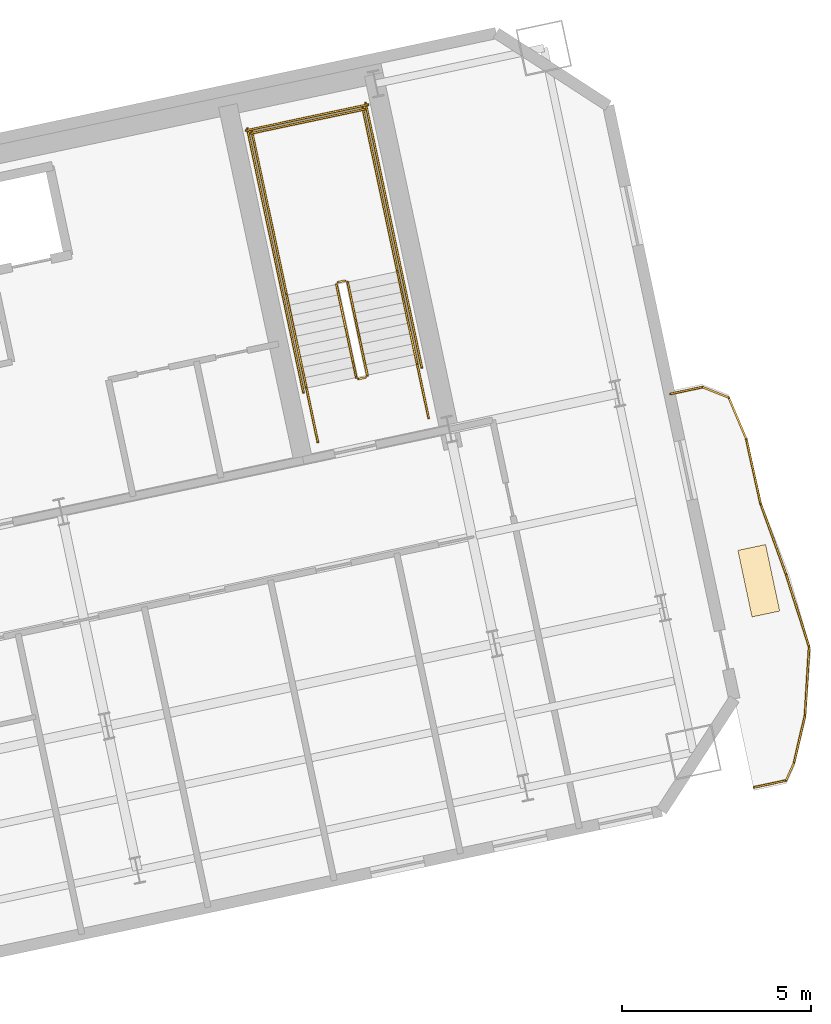
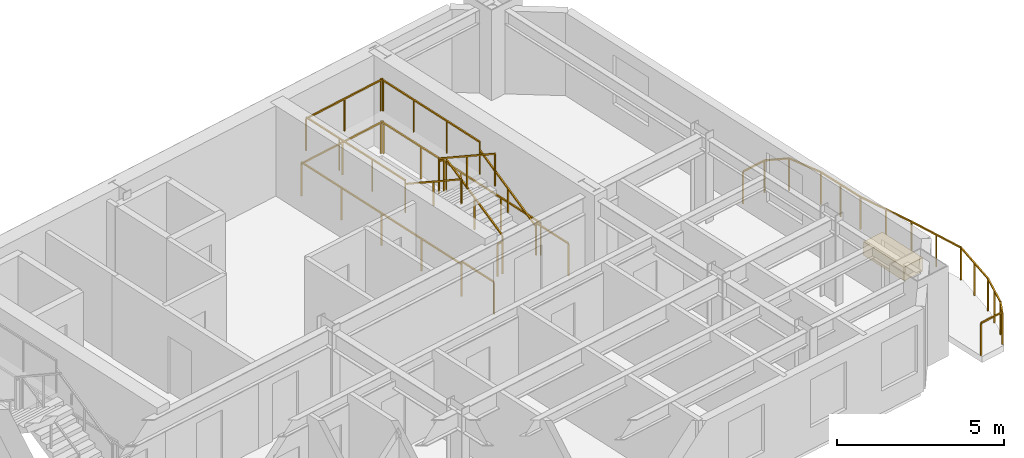
# One storey, part 13 of 13: 24 railings, 1 covering.
"""IFC4 building model written with IfcOpenShell, lengths in metres."""

from ifc_helpers import new_model, si_unit, direction, frame, origin, origin_2d, place, context, subcontext, project, spatial, rectangle, extrude, material, layer, layer_set, type_object, element, save


model = new_model("IFC4")

# Units and contexts
model_context = context("Model", 3, precision=1e-05, world=origin(), true_north=direction((0.0, 1.0)))
body_context = subcontext(model_context, "Body", "Model", "MODEL_VIEW")
ifc_project = project(units=[si_unit("LENGTHUNIT", "METRE"), si_unit("AREAUNIT", "SQUARE_METRE"), si_unit("VOLUMEUNIT", "CUBIC_METRE"), si_unit("PLANEANGLEUNIT", "RADIAN"), si_unit("MASSUNIT", "GRAM", prefix="KILO")], contexts=[model_context])

# Site, building, storey
site_placement = place(None, origin())
site = spatial("IfcSite", under=ifc_project, at=site_placement, CompositionType="ELEMENT")
building_placement = place(site_placement, origin())
building = spatial("IfcBuilding", under=site, at=building_placement, Name="Haevon Station Towers", CompositionType="ELEMENT")
storey_placement = place(building_placement, frame((0.0, 0.0, 142.800048828125)))
storey = spatial("IfcBuildingStorey", under=building, at=storey_placement, Name="L38", CompositionType="ELEMENT", Elevation=142.800048828125)

# Railings
ifc_material_1 = material(Name="Steel S355", Category="steel")
railing_type_1 = type_object("IfcRailingType", Name="GRD-EXT1200", PredefinedType="GUARDRAIL", material=ifc_material_1)
railing_1_placement = place(storey_placement, frame((127.363525390625, 32.332275390625, 0.0)))
element("IfcRailing", 1, at=railing_1_placement, inside=storey, type_object=railing_type_1, Name="L38 Perimeter Guardrail 1", PredefinedType="GUARDRAIL", context=body_context, shape_type="SweptSolid", body=[
    extrude(rectangle(XDim=0.048095703125, YDim=0.048095703125, at=origin_2d()), frame((0.0, 0.0, 1.17578125), z_axis=(0.977695451476, 0.210027627141, 0.0), x_axis=(-0.210027627141, 0.977695451476, 0.0)), (0.0, 0.0, 1.0), 0.869384765625),
    extrude(rectangle(XDim=0.0419921875, YDim=0.0419921875, at=origin_2d()), origin(), (0.0, 0.0, 1.0), 1.15185546875),
    extrude(rectangle(XDim=0.0419921875, YDim=0.0419921875, at=origin_2d()), frame((0.85009765625, 0.1826171875, 0.0)), (0.0, 0.0, 1.0), 1.15185546875),
])
railing_2_placement = place(storey_placement, frame((128.213623046875, 32.514892578125, 0.0)))
element("IfcRailing", 2, at=railing_2_placement, inside=storey, type_object=railing_type_1, Name="L38 Perimeter Guardrail 2", PredefinedType="GUARDRAIL", context=body_context, shape_type="SweptSolid", body=[
    extrude(rectangle(XDim=0.048095703125, YDim=0.048095703125, at=origin_2d()), frame((0.0, 0.0, 1.17578125), z_axis=(0.406806804169, 0.913514216683, 0.0), x_axis=(-0.913514216683, 0.406806804169, 0.0)), (0.0, 0.0, 1.0), 0.50830078125),
    extrude(rectangle(XDim=0.0419921875, YDim=0.0419921875, at=origin_2d()), origin(), (0.0, 0.0, 1.0), 1.15185546875),
    extrude(rectangle(XDim=0.0419921875, YDim=0.0419921875, at=origin_2d()), frame((0.206787109375, 0.46435546875, 0.0)), (0.0, 0.0, 1.0), 1.15185546875),
])
railing_3_placement = place(storey_placement, frame((128.42041015625, 32.979248046875, 0.0)))
element("IfcRailing", 3, at=railing_3_placement, inside=storey, type_object=railing_type_1, Name="L38 Perimeter Guardrail 3", PredefinedType="GUARDRAIL", context=body_context, shape_type="SweptSolid", body=[
    extrude(rectangle(XDim=0.048095703125, YDim=0.048095703125, at=origin_2d()), frame((0.0, 0.0, 1.17578125), z_axis=(0.225729273284, 0.974190071384, 0.0), x_axis=(-0.974190071384, 0.225729273284, 0.0)), (0.0, 0.0, 1.0), 1.29150390625),
    extrude(rectangle(XDim=0.0419921875, YDim=0.0419921875, at=origin_2d()), origin(), (0.0, 0.0, 1.0), 1.15185546875),
    extrude(rectangle(XDim=0.0419921875, YDim=0.0419921875, at=origin_2d()), frame((0.145751953125, 0.62890625, 0.0)), (0.0, 0.0, 1.0), 1.15185546875),
    extrude(rectangle(XDim=0.0419921875, YDim=0.0419921875, at=origin_2d()), frame((0.29150390625, 1.258056640625, 0.0)), (0.0, 0.0, 1.0), 1.15185546875),
])
railing_4_placement = place(storey_placement, frame((128.7119140625, 34.2373046875, 0.0)))
element("IfcRailing", 4, at=railing_4_placement, inside=storey, type_object=railing_type_1, Name="L38 Perimeter Guardrail 4", PredefinedType="GUARDRAIL", context=body_context, shape_type="SweptSolid", body=[
    extrude(rectangle(XDim=0.048095703125, YDim=0.048095703125, at=origin_2d()), frame((0.0, 0.0, 1.17578125), z_axis=(0.060144905, 0.99818965653, 0.0), x_axis=(-0.99818965653, 0.060144905, 0.0)), (0.0, 0.0, 1.0), 1.810302734375),
    extrude(rectangle(XDim=0.0419921875, YDim=0.0419921875, at=origin_2d()), origin(), (0.0, 0.0, 1.0), 1.15185546875),
    extrude(rectangle(XDim=0.0419921875, YDim=0.0419921875, at=origin_2d()), frame((0.054443359375, 0.903564453125, 0.0)), (0.0, 0.0, 1.0), 1.15185546875),
    extrude(rectangle(XDim=0.0419921875, YDim=0.0419921875, at=origin_2d()), frame((0.10888671875, 1.80712890625, 0.0)), (0.0, 0.0, 1.0), 1.15185546875),
])
railing_5_placement = place(storey_placement, frame((128.82080078125, 36.04443359375, 0.0)))
element("IfcRailing", 5, at=railing_5_placement, inside=storey, type_object=railing_type_1, Name="L38 Perimeter Guardrail 5", PredefinedType="GUARDRAIL", context=body_context, shape_type="SweptSolid", body=[
    extrude(rectangle(XDim=0.048095703125, YDim=0.048095703125, at=origin_2d()), frame((0.0, 0.0, 1.17578125), z_axis=(-0.302449100455, 0.953165537372, 0.0), x_axis=(-0.953165537372, -0.302449100455, 0.0)), (0.0, 0.0, 1.0), 2.00341796875),
    extrude(rectangle(XDim=0.0419921875, YDim=0.0419921875, at=origin_2d()), origin(), (0.0, 0.0, 1.0), 1.15185546875),
    extrude(rectangle(XDim=0.0419921875, YDim=0.0419921875, at=origin_2d()), frame((-0.302978515625, 0.954833984375, 0.0)), (0.0, 0.0, 1.0), 1.15185546875),
    extrude(rectangle(XDim=0.0419921875, YDim=0.0419921875, at=origin_2d()), frame((-0.60595703125, 1.90966796875, 0.0)), (0.0, 0.0, 1.0), 1.15185546875),
])
railing_6_placement = place(storey_placement, frame((128.21484375, 37.9541015625, 0.0)))
element("IfcRailing", 6, at=railing_6_placement, inside=storey, type_object=railing_type_1, Name="L38 Perimeter Guardrail 6", PredefinedType="GUARDRAIL", context=body_context, shape_type="SweptSolid", body=[
    extrude(rectangle(XDim=0.048095703125, YDim=0.048095703125, at=origin_2d()), frame((0.0, 0.0, 1.17578125), z_axis=(-0.339300769731, 0.940677940456, 0.0), x_axis=(-0.940677940456, -0.339300769731, 0.0)), (0.0, 0.0, 1.0), 2.007568359375),
    extrude(rectangle(XDim=0.0419921875, YDim=0.0419921875, at=origin_2d()), origin(), (0.0, 0.0, 1.0), 1.15185546875),
    extrude(rectangle(XDim=0.0419921875, YDim=0.0419921875, at=origin_2d()), frame((-0.340576171875, 0.9443359375, 0.0)), (0.0, 0.0, 1.0), 1.15185546875),
    extrude(rectangle(XDim=0.0419921875, YDim=0.0419921875, at=origin_2d()), frame((-0.68115234375, 1.888427734375, 0.0)), (0.0, 0.0, 1.0), 1.15185546875),
])
railing_7_placement = place(storey_placement, frame((127.53369140625, 39.842529296875, 0.0)))
element("IfcRailing", 7, at=railing_7_placement, inside=storey, type_object=railing_type_1, Name="L38 Perimeter Guardrail 7", PredefinedType="GUARDRAIL", context=body_context, shape_type="SweptSolid", body=[
    extrude(rectangle(XDim=0.048095703125, YDim=0.048095703125, at=origin_2d()), frame((0.0, 0.0, 1.17578125), z_axis=(-0.215069312973, 0.976598786922, 0.0), x_axis=(-0.976598786922, -0.215069312973, 0.0)), (0.0, 0.0, 1.0), 1.75048828125),
    extrude(rectangle(XDim=0.0419921875, YDim=0.0419921875, at=origin_2d()), origin(), (0.0, 0.0, 1.0), 1.15185546875),
    extrude(rectangle(XDim=0.0419921875, YDim=0.0419921875, at=origin_2d()), frame((-0.188232421875, 0.854736328125, 0.0)), (0.0, 0.0, 1.0), 1.15185546875),
    extrude(rectangle(XDim=0.0419921875, YDim=0.0419921875, at=origin_2d()), frame((-0.37646484375, 1.70947265625, 0.0)), (0.0, 0.0, 1.0), 1.15185546875),
])
railing_8_placement = place(storey_placement, frame((127.1572265625, 41.552001953125, 0.0)))
element("IfcRailing", 8, at=railing_8_placement, inside=storey, type_object=railing_type_1, Name="L38 Perimeter Guardrail 8", PredefinedType="GUARDRAIL", context=body_context, shape_type="SweptSolid", body=[
    extrude(rectangle(XDim=0.048095703125, YDim=0.048095703125, at=origin_2d()), frame((0.0, 0.0, 1.17578125), z_axis=(-0.389860525795, 0.920873916683, 0.0), x_axis=(-0.920873916683, -0.389860525795, 0.0)), (0.0, 0.0, 1.0), 1.191650390625),
    extrude(rectangle(XDim=0.0419921875, YDim=0.0419921875, at=origin_2d()), origin(), (0.0, 0.0, 1.0), 1.15185546875),
    extrude(rectangle(XDim=0.0419921875, YDim=0.0419921875, at=origin_2d()), frame((-0.464599609375, 1.097412109375, 0.0)), (0.0, 0.0, 1.0), 1.15185546875),
])
railing_9_placement = place(storey_placement, frame((126.692626953125, 42.6494140625, 0.0)))
element("IfcRailing", 9, at=railing_9_placement, inside=storey, type_object=railing_type_1, Name="L38 Perimeter Guardrail 9", PredefinedType="GUARDRAIL", context=body_context, shape_type="SweptSolid", body=[
    extrude(rectangle(XDim=0.048095703125, YDim=0.048095703125, at=origin_2d()), frame((0.0, 0.0, 1.17578125), z_axis=(-0.929918939499, 0.367764552344, 0.0), x_axis=(-0.367764552344, -0.929918939499, 0.0)), (0.0, 0.0, 1.0), 0.743408203125),
    extrude(rectangle(XDim=0.0419921875, YDim=0.0419921875, at=origin_2d()), origin(), (0.0, 0.0, 1.0), 1.15185546875),
    extrude(rectangle(XDim=0.0419921875, YDim=0.0419921875, at=origin_2d()), frame((-0.69140625, 0.2734375, 0.0)), (0.0, 0.0, 1.0), 1.15185546875),
])
railing_10_placement = place(storey_placement, frame((126.001220703125, 42.9228515625, 0.0)))
element("IfcRailing", 10, at=railing_10_placement, inside=storey, type_object=railing_type_1, Name="L38 Perimeter Guardrail 10", PredefinedType="GUARDRAIL", context=body_context, shape_type="SweptSolid", body=[
    extrude(rectangle(XDim=0.048095703125, YDim=0.048095703125, at=origin_2d()), frame((0.0, 0.0, 1.17578125), z_axis=(-0.978588498747, -0.205826504901, 0.0), x_axis=(0.205826504901, -0.978588498747, 0.0)), (0.0, 0.0, 1.0), 0.869384765625),
    extrude(rectangle(XDim=0.0419921875, YDim=0.0419921875, at=origin_2d()), origin(), (0.0, 0.0, 1.0), 1.15185546875),
    extrude(rectangle(XDim=0.0419921875, YDim=0.0419921875, at=origin_2d()), frame((-0.850830078125, -0.178955078125, 0.0)), (0.0, 0.0, 1.0), 1.15185546875),
])
railing_type_2 = type_object("IfcRailingType", Name="GRD-STR1200", PredefinedType="GUARDRAIL", material=ifc_material_1)
railing_11_placement = place(storey_placement, frame((117.128662109375, 43.23974609375, 0.1650390625)))
element("IfcRailing", 11, at=railing_11_placement, inside=storey, type_object=railing_type_2, Name="L38 ST4 Stair Guard 1", PredefinedType="GUARDRAIL", context=body_context, shape_type="SweptSolid", body=[
    extrude(rectangle(XDim=0.048095703125, YDim=0.048095703125, at=origin_2d()), frame((0.0, 0.0, 1.17578125), z_axis=(-0.179128856099, 0.842723639875, 0.507670877349), x_axis=(-0.978147030254, -0.207914374695, 0.0)), (0.0, 0.0, 1.0), 2.9248046875),
    extrude(rectangle(XDim=0.0419921875, YDim=0.0419921875, at=origin_2d()), origin(), (0.0, 0.0, 1.0), 1.15185546875),
    extrude(rectangle(XDim=0.0419921875, YDim=0.0419921875, at=origin_2d()), frame((-0.261962890625, 1.232421875, 0.742431640625)), (0.0, 0.0, 1.0), 1.15185546875),
    extrude(rectangle(XDim=0.0419921875, YDim=0.0419921875, at=origin_2d()), frame((-0.52392578125, 2.46484375, 1.48486328125)), (0.0, 0.0, 1.0), 1.15185546875),
])
railing_12_placement = place(storey_placement, frame((116.54541015625, 45.7431640625, 1.64990234375)))
element("IfcRailing", 12, at=railing_12_placement, inside=storey, type_object=railing_type_2, Name="L38 ST4 Stair Guard 2", PredefinedType="GUARDRAIL", context=body_context, shape_type="SweptSolid", body=[
    extrude(rectangle(XDim=0.048095703125, YDim=0.048095703125, at=origin_2d()), frame((0.0, 0.0, 1.17578125), z_axis=(-0.97826412705, -0.207362720198, 0.0), x_axis=(0.207362720198, -0.97826412705, 0.0)), (0.0, 0.0, 1.0), 0.2001953125),
    extrude(rectangle(XDim=0.0419921875, YDim=0.0419921875, at=origin_2d()), origin(), (0.0, 0.0, 1.0), 1.15185546875),
    extrude(rectangle(XDim=0.0419921875, YDim=0.0419921875, at=origin_2d()), frame((-0.19580078125, -0.04150390625, 0.0)), (0.0, 0.0, 1.0), 1.15185546875),
])
railing_13_placement = place(storey_placement, frame((117.925048828125, 45.9853515625, 1.64990234375)))
element("IfcRailing", 13, at=railing_13_placement, inside=storey, type_object=railing_type_2, Name="L38 ST4 Stair Guard 3", PredefinedType="GUARDRAIL", context=body_context, shape_type="SweptSolid", body=[
    extrude(rectangle(XDim=0.048095703125, YDim=0.048095703125, at=origin_2d()), frame((0.0, 0.0, 1.17578125), z_axis=(-0.207876551949, 0.978155069071, 0.0), x_axis=(-0.978155069071, -0.207876551949, 0.0)), (0.0, 0.0, 1.0), 4.429931640625),
    extrude(rectangle(XDim=0.0419921875, YDim=0.0419921875, at=origin_2d()), origin(), (0.0, 0.0, 1.0), 1.15185546875),
    extrude(rectangle(XDim=0.0419921875, YDim=0.0419921875, at=origin_2d()), frame((-0.306884765625, 1.4443359375, 0.0)), (0.0, 0.0, 1.0), 1.15185546875),
    extrude(rectangle(XDim=0.0419921875, YDim=0.0419921875, at=origin_2d()), frame((-0.614013671875, 2.888916015625, 0.0)), (0.0, 0.0, 1.0), 1.15185546875),
    extrude(rectangle(XDim=0.0419921875, YDim=0.0419921875, at=origin_2d()), frame((-0.9208984375, 4.333251953125, 0.0)), (0.0, 0.0, 1.0), 1.15185546875),
])
railing_14_placement = place(storey_placement, frame((114.99072265625, 45.361572265625, 1.64990234375)))
element("IfcRailing", 14, at=railing_14_placement, inside=storey, type_object=railing_type_2, Name="L38 ST4 Stair Guard 4", PredefinedType="GUARDRAIL", context=body_context, shape_type="SweptSolid", body=[
    extrude(rectangle(XDim=0.048095703125, YDim=0.048095703125, at=origin_2d()), frame((0.0, 0.0, 1.17578125), z_axis=(-0.207929280007, 0.978143861871, 0.0), x_axis=(-0.978143861871, -0.207929280007, 0.0)), (0.0, 0.0, 1.0), 4.43017578125),
    extrude(rectangle(XDim=0.0419921875, YDim=0.0419921875, at=origin_2d()), origin(), (0.0, 0.0, 1.0), 1.15185546875),
    extrude(rectangle(XDim=0.0419921875, YDim=0.0419921875, at=origin_2d()), frame((-0.30712890625, 1.4443359375, 0.0)), (0.0, 0.0, 1.0), 1.15185546875),
    extrude(rectangle(XDim=0.0419921875, YDim=0.0419921875, at=origin_2d()), frame((-0.614013671875, 2.888916015625, 0.0)), (0.0, 0.0, 1.0), 1.15185546875),
    extrude(rectangle(XDim=0.0419921875, YDim=0.0419921875, at=origin_2d()), frame((-0.921142578125, 4.333251953125, 0.0)), (0.0, 0.0, 1.0), 1.15185546875),
])
railing_15_placement = place(storey_placement, frame((117.0634765625, 50.280029296875, 1.64990234375)))
element("IfcRailing", 15, at=railing_15_placement, inside=storey, type_object=railing_type_2, Name="L38 ST4 Stair Guard 5", PredefinedType="GUARDRAIL", context=body_context, shape_type="SweptSolid", body=[
    extrude(rectangle(XDim=0.048095703125, YDim=0.048095703125, at=origin_2d()), frame((0.0, 0.0, 1.17578125), z_axis=(-0.978146839882, -0.207915270313, 0.0), x_axis=(0.207915270313, -0.978146839882, 0.0)), (0.0, 0.0, 1.0), 3.099853515625),
    extrude(rectangle(XDim=0.0419921875, YDim=0.0419921875, at=origin_2d()), origin(), (0.0, 0.0, 1.0), 1.15185546875),
    extrude(rectangle(XDim=0.0419921875, YDim=0.0419921875, at=origin_2d()), frame((-1.51611328125, -0.322265625, 0.0)), (0.0, 0.0, 1.0), 1.15185546875),
    extrude(rectangle(XDim=0.0419921875, YDim=0.0419921875, at=origin_2d()), frame((-3.0322265625, -0.64453125, 0.0)), (0.0, 0.0, 1.0), 1.15185546875),
])
railing_16_placement = place(storey_placement, frame((116.311279296875, 45.642333984375, 1.81494140625)))
element("IfcRailing", 16, at=railing_16_placement, inside=storey, type_object=railing_type_2, Name="L38 ST4 Stair Guard 6", PredefinedType="GUARDRAIL", context=body_context, shape_type="SweptSolid", body=[
    extrude(rectangle(XDim=0.048095703125, YDim=0.048095703125, at=origin_2d()), frame((0.0, 0.0, 1.17578125), z_axis=(0.179108667068, -0.842712120868, 0.50769712105), x_axis=(0.978151217824, 0.207894673017, 0.0)), (0.0, 0.0, 1.0), 2.92529296875),
    extrude(rectangle(XDim=0.0419921875, YDim=0.0419921875, at=origin_2d()), origin(), (0.0, 0.0, 1.0), 1.15185546875),
    extrude(rectangle(XDim=0.0419921875, YDim=0.0419921875, at=origin_2d()), frame((0.261962890625, -1.232421875, 0.74267578125)), (0.0, 0.0, 1.0), 1.15185546875),
    extrude(rectangle(XDim=0.0419921875, YDim=0.0419921875, at=origin_2d()), frame((0.52392578125, -2.465087890625, 1.485107421875)), (0.0, 0.0, 1.0), 1.15185546875),
])
railing_17_placement = place(storey_placement, frame((117.090087890625, 43.180419921875, 0.0)))
element("IfcRailing", 17, at=railing_17_placement, inside=storey, type_object=railing_type_2, Name="L38 ST4 Stair Guard 7", PredefinedType="GUARDRAIL", context=body_context, shape_type="SweptSolid", body=[
    extrude(rectangle(XDim=0.048095703125, YDim=0.048095703125, at=origin_2d()), frame((0.0, 0.0, 1.17578125), z_axis=(-0.978211583308, -0.207610448392, 0.0), x_axis=(0.207610448392, -0.978211583308, 0.0)), (0.0, 0.0, 1.0), 0.199951171875),
    extrude(rectangle(XDim=0.0419921875, YDim=0.0419921875, at=origin_2d()), origin(), (0.0, 0.0, 1.0), 1.15185546875),
    extrude(rectangle(XDim=0.0419921875, YDim=0.0419921875, at=origin_2d()), frame((-0.195556640625, -0.04150390625, 0.0)), (0.0, 0.0, 1.0), 1.15185546875),
])
for number, where, name in (
    (18, (118.75048828125, 42.10205078125, 0.0), "L38 ST4 Stair Guard 8"),
    (19, (115.816162109375, 41.478271484375, 0.0), "L38 ST4 Stair Guard 9"),
):
    element("IfcRailing", number, at=place(storey_placement, frame(where)), inside=storey, type_object=railing_type_2, Name=name, PredefinedType="GUARDRAIL", context=body_context, shape_type="SweptSolid", body=[
        extrude(rectangle(XDim=0.048095703125, YDim=0.048095703125, at=origin_2d()), frame((0.0, 0.0, 1.17578125), z_axis=(-0.207919161079, 0.978146012851, 0.0), x_axis=(-0.978146012851, -0.207919161079, 0.0)), (0.0, 0.0, 1.0), 1.4501953125),
        extrude(rectangle(XDim=0.0419921875, YDim=0.0419921875, at=origin_2d()), origin(), (0.0, 0.0, 1.0), 1.15185546875),
        extrude(rectangle(XDim=0.0419921875, YDim=0.0419921875, at=origin_2d()), frame((-0.301513671875, 1.41845703125, 0.0)), (0.0, 0.0, 1.0), 1.15185546875),
    ])
railing_18_placement = place(storey_placement, frame((118.567626953125, 43.443359375, 0.0)))
element("IfcRailing", 20, at=railing_18_placement, inside=storey, type_object=railing_type_2, Name="L38 ST4 Stair Guard 10", PredefinedType="GUARDRAIL", context=body_context, shape_type="SweptSolid", body=[
    extrude(rectangle(XDim=0.048095703125, YDim=0.048095703125, at=origin_2d()), frame((0.0, 0.0, 1.17578125), z_axis=(-0.207908168386, 0.978148349443, 0.0), x_axis=(-0.978148349443, -0.207908168386, 0.0)), (0.0, 0.0, 1.0), 7.150146484375),
    extrude(rectangle(XDim=0.0419921875, YDim=0.0419921875, at=origin_2d()), origin(), (0.0, 0.0, 1.0), 1.15185546875),
    extrude(rectangle(XDim=0.0419921875, YDim=0.0419921875, at=origin_2d()), frame((-0.37158203125, 1.74853515625, 0.0)), (0.0, 0.0, 1.0), 1.15185546875),
    extrude(rectangle(XDim=0.0419921875, YDim=0.0419921875, at=origin_2d()), frame((-0.7431640625, 3.4970703125, 0.0)), (0.0, 0.0, 1.0), 1.15185546875),
    extrude(rectangle(XDim=0.0419921875, YDim=0.0419921875, at=origin_2d()), frame((-1.114990234375, 5.245361328125, 0.0)), (0.0, 0.0, 1.0), 1.15185546875),
    extrude(rectangle(XDim=0.0419921875, YDim=0.0419921875, at=origin_2d()), frame((-1.486572265625, 6.993896484375, 0.0)), (0.0, 0.0, 1.0), 1.15185546875),
])
railing_19_placement = place(storey_placement, frame((115.4375, 42.778076171875, 0.0)))
element("IfcRailing", 21, at=railing_19_placement, inside=storey, type_object=railing_type_2, Name="L38 ST4 Stair Guard 11", PredefinedType="GUARDRAIL", context=body_context, shape_type="SweptSolid", body=[
    extrude(rectangle(XDim=0.048095703125, YDim=0.048095703125, at=origin_2d()), frame((0.0, 0.0, 1.17578125), z_axis=(-0.207882442208, 0.978153817261, 0.0), x_axis=(-0.978153817261, -0.207882442208, 0.0)), (0.0, 0.0, 1.0), 7.14990234375),
    extrude(rectangle(XDim=0.0419921875, YDim=0.0419921875, at=origin_2d()), origin(), (0.0, 0.0, 1.0), 1.15185546875),
    extrude(rectangle(XDim=0.0419921875, YDim=0.0419921875, at=origin_2d()), frame((-0.37158203125, 1.74853515625, 0.0)), (0.0, 0.0, 1.0), 1.15185546875),
    extrude(rectangle(XDim=0.0419921875, YDim=0.0419921875, at=origin_2d()), frame((-0.7431640625, 3.496826171875, 0.0)), (0.0, 0.0, 1.0), 1.15185546875),
    extrude(rectangle(XDim=0.0419921875, YDim=0.0419921875, at=origin_2d()), frame((-1.11474609375, 5.2451171875, 0.0)), (0.0, 0.0, 1.0), 1.15185546875),
    extrude(rectangle(XDim=0.0419921875, YDim=0.0419921875, at=origin_2d()), frame((-1.486328125, 6.99365234375, 0.0)), (0.0, 0.0, 1.0), 1.15185546875),
])
railing_20_placement = place(storey_placement, frame((117.140380859375, 50.398681640625, 0.0)))
element("IfcRailing", 22, at=railing_20_placement, inside=storey, type_object=railing_type_2, Name="L38 ST4 Stair Guard 12", PredefinedType="GUARDRAIL", context=body_context, shape_type="SweptSolid", body=[
    extrude(rectangle(XDim=0.048095703125, YDim=0.048095703125, at=origin_2d()), frame((0.0, 0.0, 1.17578125), z_axis=(-0.978135717418, -0.207967589567, 0.0), x_axis=(0.207967589567, -0.978135717418, 0.0)), (0.0, 0.0, 1.0), 3.300048828125),
    extrude(rectangle(XDim=0.0419921875, YDim=0.0419921875, at=origin_2d()), origin(), (0.0, 0.0, 1.0), 1.15185546875),
    extrude(rectangle(XDim=0.0419921875, YDim=0.0419921875, at=origin_2d()), frame((-1.61376953125, -0.34326171875, 0.0)), (0.0, 0.0, 1.0), 1.15185546875),
    extrude(rectangle(XDim=0.0419921875, YDim=0.0419921875, at=origin_2d()), frame((-3.227783203125, -0.686279296875, 0.0)), (0.0, 0.0, 1.0), 1.15185546875),
])
railing_type_3 = type_object("IfcRailingType", Name="HND-STR900", PredefinedType="HANDRAIL", material=ifc_material_1)
railing_21_placement = place(storey_placement, frame((118.448974609375, 43.5205078125, 0.1650390625)))
element("IfcRailing", 23, at=railing_21_placement, inside=storey, type_object=railing_type_3, Name="L38 ST4 Stair Handrail 1", PredefinedType="HANDRAIL", context=body_context, shape_type="SweptSolid", body=[
    extrude(rectangle(XDim=0.048095703125, YDim=0.048095703125, at=origin_2d()), frame((0.0, 0.0, 0.8759765625), z_axis=(-0.179128856099, 0.842723639875, 0.507670877349), x_axis=(-0.978147030254, -0.207914374695, 0.0)), (0.0, 0.0, 1.0), 2.9248046875),
    extrude(rectangle(XDim=0.0419921875, YDim=0.0419921875, at=origin_2d()), origin(), (0.0, 0.0, 1.0), 0.851806640625),
    extrude(rectangle(XDim=0.0419921875, YDim=0.0419921875, at=origin_2d()), frame((-0.261962890625, 1.232421875, 0.742431640625)), (0.0, 0.0, 1.0), 0.851806640625),
    extrude(rectangle(XDim=0.0419921875, YDim=0.0419921875, at=origin_2d()), frame((-0.52392578125, 2.46484375, 1.48486328125)), (0.0, 0.0, 1.0), 0.851806640625),
])
railing_22_placement = place(storey_placement, frame((114.99072265625, 45.361572265625, 1.81494140625)))
element("IfcRailing", 24, at=railing_22_placement, inside=storey, type_object=railing_type_3, Name="L38 ST4 Stair Handrail 2", PredefinedType="HANDRAIL", context=body_context, shape_type="SweptSolid", body=[
    extrude(rectangle(XDim=0.048095703125, YDim=0.048095703125, at=origin_2d()), frame((0.0, 0.0, 0.8759765625), z_axis=(0.179121265225, -0.842687928106, 0.507732831485), x_axis=(0.978147030254, 0.207914374695, 0.0)), (0.0, 0.0, 1.0), 2.925048828125),
    extrude(rectangle(XDim=0.0419921875, YDim=0.0419921875, at=origin_2d()), origin(), (0.0, 0.0, 1.0), 0.851806640625),
    extrude(rectangle(XDim=0.0419921875, YDim=0.0419921875, at=origin_2d()), frame((0.261962890625, -1.232421875, 0.74267578125)), (0.0, 0.0, 1.0), 0.851806640625),
    extrude(rectangle(XDim=0.0419921875, YDim=0.0419921875, at=origin_2d()), frame((0.52392578125, -2.46484375, 1.485107421875)), (0.0, 0.0, 1.0), 0.851806640625),
])

# Covering
ifc_material_2 = material(Name="Architectural planter GRC", Category="concrete")
ifc_layer = layer(ifc_material_2, 0.550048828125)
ifc_layer_set = layer_set([ifc_layer], Name="Architectural planter GRC")
covering_type = type_object("IfcCoveringType", Name="PLN-GRC550", PredefinedType="MOLDING", material=ifc_layer_set)
covering_placement = place(storey_placement, frame((127.4892578125, 37.800048828125, 0.0), z_axis=(0.0, 0.0, 1.0), x_axis=(0.978147600734, 0.207911690818, 0.0)))
element("IfcCovering", 25, at=covering_placement, inside=storey, type_object=covering_type, Name="Tower 2 L38 Scalloped Balcony PLANTER", PredefinedType="MOLDING", context=body_context, shape_type="SweptSolid", body=[
    extrude(rectangle(XDim=0.75, YDim=1.800048828125, at=origin_2d()), origin(), (0.0, 0.0, 1.0), 0.5),
])

save(model, "model.ifc")
